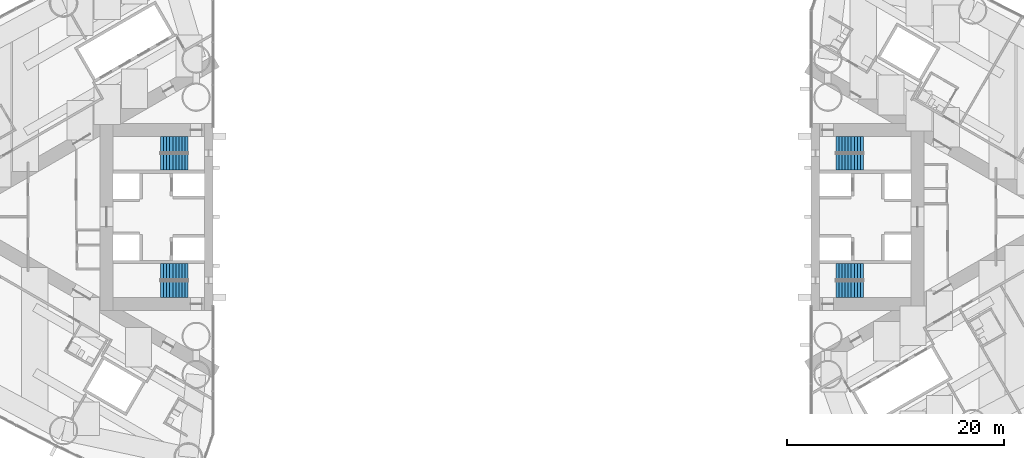
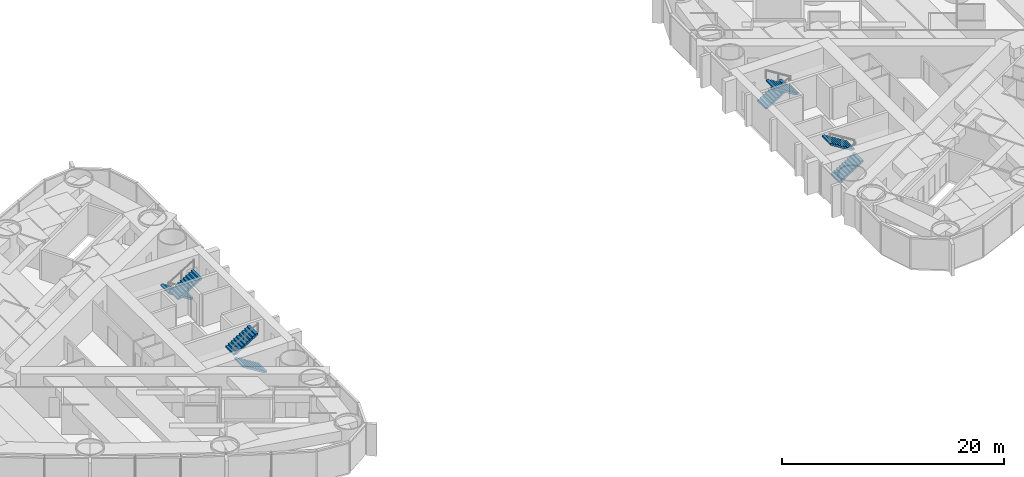
# One storey, part 16 of 18: 8 stair flights, 4 elements without a shape of their own.
"""IFC4 building model written with IfcOpenShell, lengths in metres."""

from ifc_helpers import new_model, si_unit, direction, frame, origin, place, context, subcontext, project, spatial, polyline, outline, extrude, material, type_object, element, aggregate, save


model = new_model("IFC4")

# Units and contexts
model_context = context("Model", 3, precision=1e-05, world=origin(), true_north=direction((0.0, 1.0)))
body_context = subcontext(model_context, "Body", "Model", "MODEL_VIEW")
ifc_project = project(units=[si_unit("LENGTHUNIT", "METRE"), si_unit("AREAUNIT", "SQUARE_METRE"), si_unit("VOLUMEUNIT", "CUBIC_METRE"), si_unit("PLANEANGLEUNIT", "RADIAN"), si_unit("MASSUNIT", "GRAM", prefix="KILO")], contexts=[model_context])

# Site, building, storey
site_placement = place(None, origin())
site = spatial("IfcSite", under=ifc_project, at=site_placement, CompositionType="ELEMENT")
building_placement = place(site_placement, origin())
building = spatial("IfcBuilding", under=site, at=building_placement, Name="Lancet Gate Hotel", CompositionType="ELEMENT")
storey_placement = place(building_placement, frame((0.0, 0.0, 97.60009765625)))
storey = spatial("IfcBuildingStorey", under=building, at=storey_placement, Name="L25", CompositionType="ELEMENT", Elevation=97.60009765625)

# Stair, stair flights
ifc_material_1 = material(Name="Exit stair 20 risers 1500")
stair_type = type_object("IfcStairType", Name="Exit stair 20 risers 1500", PredefinedType="HALF_TURN_STAIR", material=ifc_material_1)
stair_1_placement = place(storey_placement, origin())
stair_1 = element("IfcStair", 1, at=stair_1_placement, inside=storey, type_object=stair_type, Name="T1 stair 1 L25", PredefinedType="HALF_TURN_STAIR")
ifc_material_2 = material(Name="Stair flight 10 risers 175 rise 1500")
stair_flight_type = type_object("IfcStairFlightType", Name="Stair flight 10 risers 175 rise 1500", PredefinedType="STRAIGHT", material=ifc_material_2)
stair_flight_1_placement = place(storey_placement, frame((-29.800048828125, 6.64990234375, 0.0), z_axis=(0.0, 0.0, 1.0), x_axis=(-1.0, 0.0, 0.0)))
stair_flight_1 = element("IfcStairFlight", 2, at=stair_flight_1_placement, type_object=stair_flight_type, Name="ST1 flight 1", NumberOfRisers=10, NumberOfTreads=9, PredefinedType="STRAIGHT", RiserHeight=0.175, TreadLength=0.28, context=body_context, shape_type="SweptSolid", body=[
    extrude(outline(polyline([(0.0, 0.0), (0.0, 0.175048828125), (0.280029296875, 0.175048828125), (0.280029296875, 0.35009765625), (0.56005859375, 0.35009765625), (0.56005859375, 0.52490234375), (0.840087890625, 0.52490234375), (0.840087890625, 0.699951171875), (1.1201171875, 0.699951171875), (1.1201171875, 0.875), (1.39990234375, 0.875), (1.39990234375, 1.050048828125), (1.679931640625, 1.050048828125), (1.679931640625, 1.22509765625), (1.9599609375, 1.22509765625), (1.9599609375, 1.39990234375), (2.239990234375, 1.39990234375), (2.239990234375, 1.574951171875), (2.52001953125, 1.574951171875), (2.52001953125, 1.75), (2.52001953125, 1.398193359375), (0.28271484375, 0.0), (0.0, 0.0)])), frame((0.0, 0.75, 0.0), z_axis=(0.0, -1.0, 0.0), x_axis=(1.0, 0.0, 0.0)), (0.0, 0.0, 1.0), 1.5),
])
stair_flight_2_placement = place(storey_placement, frame((-32.320068359375, 5.050048828125, 1.75), z_axis=(0.0, 0.0, 1.0), x_axis=(1.0, 0.0, 0.0)))
stair_flight_2 = element("IfcStairFlight", 3, at=stair_flight_2_placement, type_object=stair_flight_type, Name="ST1 flight 2", NumberOfRisers=10, NumberOfTreads=9, PredefinedType="STRAIGHT", RiserHeight=0.175, TreadLength=0.28, context=body_context, shape_type="SweptSolid", body=[
    extrude(outline(polyline([(0.0, 0.0), (0.0, 0.175048828125), (0.280029296875, 0.175048828125), (0.280029296875, 0.35009765625), (0.56005859375, 0.35009765625), (0.56005859375, 0.52490234375), (0.840087890625, 0.52490234375), (0.840087890625, 0.699951171875), (1.1201171875, 0.699951171875), (1.1201171875, 0.875), (1.39990234375, 0.875), (1.39990234375, 1.050048828125), (1.679931640625, 1.050048828125), (1.679931640625, 1.22509765625), (1.9599609375, 1.22509765625), (1.9599609375, 1.39990234375), (2.239990234375, 1.39990234375), (2.239990234375, 1.574951171875), (2.52001953125, 1.574951171875), (2.52001953125, 1.75), (2.52001953125, 1.398193359375), (0.28271484375, 0.0), (0.0, 0.0)])), frame((0.0, 0.75, 0.0), z_axis=(0.0, -1.0, 0.0), x_axis=(1.0, 0.0, 0.0)), (0.0, 0.0, 1.0), 1.5),
])
aggregate(stair_1, [stair_flight_1, stair_flight_2])

stair_2_placement = place(storey_placement, origin())
stair_2 = element("IfcStair", 4, at=stair_2_placement, inside=storey, type_object=stair_type, Name="T1 stair 2 L25", PredefinedType="HALF_TURN_STAIR")
stair_flight_3_placement = place(storey_placement, frame((-29.800048828125, -6.64990234375, 0.0), z_axis=(0.0, 0.0, 1.0), x_axis=(-1.0, 0.0, 0.0)))
stair_flight_3 = element("IfcStairFlight", 5, at=stair_flight_3_placement, type_object=stair_flight_type, Name="ST2 flight 1", NumberOfRisers=10, NumberOfTreads=9, PredefinedType="STRAIGHT", RiserHeight=0.175, TreadLength=0.28, context=body_context, shape_type="SweptSolid", body=[
    extrude(outline(polyline([(0.0, 0.0), (0.0, 0.175048828125), (0.280029296875, 0.175048828125), (0.280029296875, 0.35009765625), (0.56005859375, 0.35009765625), (0.56005859375, 0.52490234375), (0.840087890625, 0.52490234375), (0.840087890625, 0.699951171875), (1.1201171875, 0.699951171875), (1.1201171875, 0.875), (1.39990234375, 0.875), (1.39990234375, 1.050048828125), (1.679931640625, 1.050048828125), (1.679931640625, 1.22509765625), (1.9599609375, 1.22509765625), (1.9599609375, 1.39990234375), (2.239990234375, 1.39990234375), (2.239990234375, 1.574951171875), (2.52001953125, 1.574951171875), (2.52001953125, 1.75), (2.52001953125, 1.398193359375), (0.28271484375, 0.0), (0.0, 0.0)])), frame((0.0, 0.75, 0.0), z_axis=(0.0, -1.0, 0.0), x_axis=(1.0, 0.0, 0.0)), (0.0, 0.0, 1.0), 1.5),
])
stair_flight_4_placement = place(storey_placement, frame((-32.320068359375, -5.050048828125, 1.75), z_axis=(0.0, 0.0, 1.0), x_axis=(1.0, 0.0, 0.0)))
stair_flight_4 = element("IfcStairFlight", 6, at=stair_flight_4_placement, type_object=stair_flight_type, Name="ST2 flight 2", NumberOfRisers=10, NumberOfTreads=9, PredefinedType="STRAIGHT", RiserHeight=0.175, TreadLength=0.28, context=body_context, shape_type="SweptSolid", body=[
    extrude(outline(polyline([(0.0, 0.0), (0.0, 0.175048828125), (0.280029296875, 0.175048828125), (0.280029296875, 0.35009765625), (0.56005859375, 0.35009765625), (0.56005859375, 0.52490234375), (0.840087890625, 0.52490234375), (0.840087890625, 0.699951171875), (1.1201171875, 0.699951171875), (1.1201171875, 0.875), (1.39990234375, 0.875), (1.39990234375, 1.050048828125), (1.679931640625, 1.050048828125), (1.679931640625, 1.22509765625), (1.9599609375, 1.22509765625), (1.9599609375, 1.39990234375), (2.239990234375, 1.39990234375), (2.239990234375, 1.574951171875), (2.52001953125, 1.574951171875), (2.52001953125, 1.75), (2.52001953125, 1.398193359375), (0.28271484375, 0.0), (0.0, 0.0)])), frame((0.0, 0.75, 0.0), z_axis=(0.0, -1.0, 0.0), x_axis=(1.0, 0.0, 0.0)), (0.0, 0.0, 1.0), 1.5),
])
aggregate(stair_2, [stair_flight_3, stair_flight_4])

stair_3_placement = place(storey_placement, origin())
stair_3 = element("IfcStair", 7, at=stair_3_placement, inside=storey, type_object=stair_type, Name="T2 stair 1 L25", PredefinedType="HALF_TURN_STAIR")
stair_flight_5_placement = place(storey_placement, frame((29.800048828125, -6.64990234375, 0.0), z_axis=(0.0, 0.0, 1.0), x_axis=(1.0, 0.0, 0.0)))
stair_flight_5 = element("IfcStairFlight", 8, at=stair_flight_5_placement, type_object=stair_flight_type, Name="ST3 flight 1", NumberOfRisers=10, NumberOfTreads=9, PredefinedType="STRAIGHT", RiserHeight=0.175, TreadLength=0.28, context=body_context, shape_type="SweptSolid", body=[
    extrude(outline(polyline([(0.0, 0.0), (0.0, 0.175048828125), (0.280029296875, 0.175048828125), (0.280029296875, 0.35009765625), (0.56005859375, 0.35009765625), (0.56005859375, 0.52490234375), (0.840087890625, 0.52490234375), (0.840087890625, 0.699951171875), (1.1201171875, 0.699951171875), (1.1201171875, 0.875), (1.39990234375, 0.875), (1.39990234375, 1.050048828125), (1.679931640625, 1.050048828125), (1.679931640625, 1.22509765625), (1.9599609375, 1.22509765625), (1.9599609375, 1.39990234375), (2.239990234375, 1.39990234375), (2.239990234375, 1.574951171875), (2.52001953125, 1.574951171875), (2.52001953125, 1.75), (2.52001953125, 1.398193359375), (0.28271484375, 0.0), (0.0, 0.0)])), frame((0.0, 0.75, 0.0), z_axis=(0.0, -1.0, 0.0), x_axis=(1.0, 0.0, 0.0)), (0.0, 0.0, 1.0), 1.5),
])
stair_flight_6_placement = place(storey_placement, frame((32.320068359375, -5.050048828125, 1.75), z_axis=(0.0, 0.0, 1.0), x_axis=(-1.0, 0.0, 0.0)))
stair_flight_6 = element("IfcStairFlight", 9, at=stair_flight_6_placement, type_object=stair_flight_type, Name="ST3 flight 2", NumberOfRisers=10, NumberOfTreads=9, PredefinedType="STRAIGHT", RiserHeight=0.175, TreadLength=0.28, context=body_context, shape_type="SweptSolid", body=[
    extrude(outline(polyline([(0.0, 0.0), (0.0, 0.175048828125), (0.280029296875, 0.175048828125), (0.280029296875, 0.35009765625), (0.56005859375, 0.35009765625), (0.56005859375, 0.52490234375), (0.840087890625, 0.52490234375), (0.840087890625, 0.699951171875), (1.1201171875, 0.699951171875), (1.1201171875, 0.875), (1.39990234375, 0.875), (1.39990234375, 1.050048828125), (1.679931640625, 1.050048828125), (1.679931640625, 1.22509765625), (1.9599609375, 1.22509765625), (1.9599609375, 1.39990234375), (2.239990234375, 1.39990234375), (2.239990234375, 1.574951171875), (2.52001953125, 1.574951171875), (2.52001953125, 1.75), (2.52001953125, 1.398193359375), (0.28271484375, 0.0), (0.0, 0.0)])), frame((0.0, 0.75, 0.0), z_axis=(0.0, -1.0, 0.0), x_axis=(1.0, 0.0, 0.0)), (0.0, 0.0, 1.0), 1.5),
])
aggregate(stair_3, [stair_flight_5, stair_flight_6])

stair_4_placement = place(storey_placement, origin())
stair_4 = element("IfcStair", 10, at=stair_4_placement, inside=storey, type_object=stair_type, Name="T2 stair 2 L25", PredefinedType="HALF_TURN_STAIR")
stair_flight_7_placement = place(storey_placement, frame((29.800048828125, 6.64990234375, 0.0), z_axis=(0.0, 0.0, 1.0), x_axis=(1.0, 0.0, 0.0)))
stair_flight_7 = element("IfcStairFlight", 11, at=stair_flight_7_placement, type_object=stair_flight_type, Name="ST4 flight 1", NumberOfRisers=10, NumberOfTreads=9, PredefinedType="STRAIGHT", RiserHeight=0.175, TreadLength=0.28, context=body_context, shape_type="SweptSolid", body=[
    extrude(outline(polyline([(0.0, 0.0), (0.0, 0.175048828125), (0.280029296875, 0.175048828125), (0.280029296875, 0.35009765625), (0.56005859375, 0.35009765625), (0.56005859375, 0.52490234375), (0.840087890625, 0.52490234375), (0.840087890625, 0.699951171875), (1.1201171875, 0.699951171875), (1.1201171875, 0.875), (1.39990234375, 0.875), (1.39990234375, 1.050048828125), (1.679931640625, 1.050048828125), (1.679931640625, 1.22509765625), (1.9599609375, 1.22509765625), (1.9599609375, 1.39990234375), (2.239990234375, 1.39990234375), (2.239990234375, 1.574951171875), (2.52001953125, 1.574951171875), (2.52001953125, 1.75), (2.52001953125, 1.398193359375), (0.28271484375, 0.0), (0.0, 0.0)])), frame((0.0, 0.75, 0.0), z_axis=(0.0, -1.0, 0.0), x_axis=(1.0, 0.0, 0.0)), (0.0, 0.0, 1.0), 1.5),
])
stair_flight_8_placement = place(storey_placement, frame((32.320068359375, 5.050048828125, 1.75), z_axis=(0.0, 0.0, 1.0), x_axis=(-1.0, 0.0, 0.0)))
stair_flight_8 = element("IfcStairFlight", 12, at=stair_flight_8_placement, type_object=stair_flight_type, Name="ST4 flight 2", NumberOfRisers=10, NumberOfTreads=9, PredefinedType="STRAIGHT", RiserHeight=0.175, TreadLength=0.28, context=body_context, shape_type="SweptSolid", body=[
    extrude(outline(polyline([(0.0, 0.0), (0.0, 0.175048828125), (0.280029296875, 0.175048828125), (0.280029296875, 0.35009765625), (0.56005859375, 0.35009765625), (0.56005859375, 0.52490234375), (0.840087890625, 0.52490234375), (0.840087890625, 0.699951171875), (1.1201171875, 0.699951171875), (1.1201171875, 0.875), (1.39990234375, 0.875), (1.39990234375, 1.050048828125), (1.679931640625, 1.050048828125), (1.679931640625, 1.22509765625), (1.9599609375, 1.22509765625), (1.9599609375, 1.39990234375), (2.239990234375, 1.39990234375), (2.239990234375, 1.574951171875), (2.52001953125, 1.574951171875), (2.52001953125, 1.75), (2.52001953125, 1.398193359375), (0.28271484375, 0.0), (0.0, 0.0)])), frame((0.0, 0.75, 0.0), z_axis=(0.0, -1.0, 0.0), x_axis=(1.0, 0.0, 0.0)), (0.0, 0.0, 1.0), 1.5),
])
aggregate(stair_4, [stair_flight_7, stair_flight_8])

save(model, "model.ifc")
